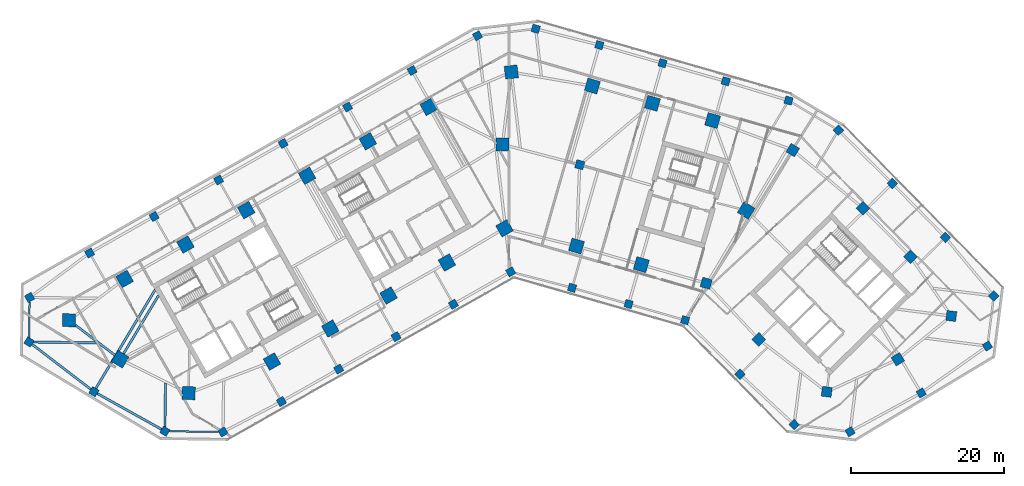
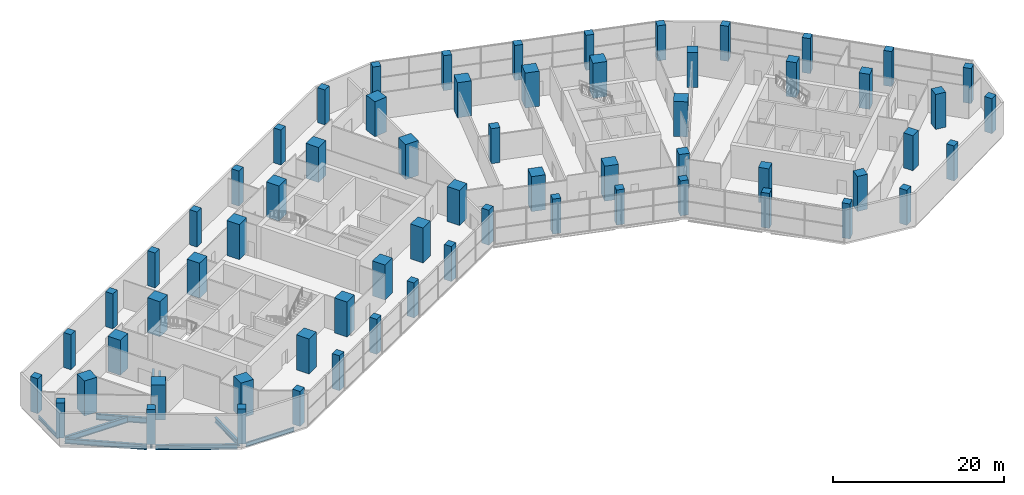
# One storey, part 1 of 18: 65 columns, 9 beams.
"""IFC4 building model written with IfcOpenShell, lengths in metres."""

from ifc_helpers import new_model, si_unit, direction, frame, origin, origin_2d, place, context, subcontext, project, spatial, rectangle, i_section, extrude, material, material_profile, profile_set, type_object, element, save


model = new_model("IFC4")

# Units and contexts
model_context = context("Model", 3, precision=1e-05, world=origin(), true_north=direction((0.0, 1.0)))
body_context = subcontext(model_context, "Body", "Model", "MODEL_VIEW")
ifc_project = project(units=[si_unit("LENGTHUNIT", "METRE"), si_unit("AREAUNIT", "SQUARE_METRE"), si_unit("VOLUMEUNIT", "CUBIC_METRE"), si_unit("PLANEANGLEUNIT", "RADIAN"), si_unit("MASSUNIT", "GRAM", prefix="KILO")], contexts=[model_context])

# Site, building, storey
site_placement = place(None, origin())
site = spatial("IfcSite", under=ifc_project, at=site_placement, CompositionType="ELEMENT")
building_placement = place(site_placement, origin())
building = spatial("IfcBuilding", under=site, at=building_placement, Name="Binnacle Exchange Tower", CompositionType="ELEMENT")
storey_placement = place(building_placement, frame((0.0, 0.0, 6.5)))
storey = spatial("IfcBuildingStorey", under=building, at=storey_placement, Name="L01", CompositionType="ELEMENT", Elevation=6.5)

# Columns
ifc_material_1 = material(Name="Concrete C60/75", Category="concrete")
ifc_material_profile_1 = material_profile(ifc_material_1, rectangle(XDim=1.10009765625, YDim=1.10009765625, at=origin_2d()), Name="Column 1100x1100 C60/75")
ifc_profile_set_1 = profile_set([ifc_material_profile_1], Name="Concrete C60/75")
column_type_1 = type_object("IfcColumnType", Name="Column 1100x1100 C60/75", PredefinedType="COLUMN", material=ifc_profile_set_1)
column_placement = place(storey_placement, frame((9.240966796875, 57.35009765625, 0.0), z_axis=(0.0, 0.0, 1.0), x_axis=(0.961261695938, -0.275637355817, 0.0)))
element("IfcColumn", 1, at=column_placement, inside=storey, type_object=column_type_1, Name="S:COL:C19:L01", PredefinedType="COLUMN", context=body_context, shape_type="SweptSolid", body=[
    extrude(rectangle(XDim=1.10009765625, YDim=1.10009765625, at=origin_2d()), origin(), (0.0, 0.0, 1.0), 5.0),
])
ifc_material_2 = material(Name="Concrete C70/85", Category="concrete")
ifc_material_profile_2 = material_profile(ifc_material_2, rectangle(XDim=1.300048828125, YDim=1.300048828125, at=origin_2d()), Name="Mega column 1300x1300 C70/85")
ifc_profile_set_2 = profile_set([ifc_material_profile_2], Name="Concrete C70/85")
column_type_2 = type_object("IfcColumnType", Name="Mega column 1300x1300 C70/85", PredefinedType="COLUMN", material=ifc_profile_set_2)
for number, where, z_axis, x_axis, name in (
    (2, (37.0849609375, 59.262451171875, 0.0), (0.0, 0.0, 1.0), (-0.859406411501, 0.511293086077, 0.0), "S:COL:MC57:L01"),
    (3, (25.766845703125, 41.85986328125, 0.0), (0.0, 0.0, 1.0), (0.961261695938, -0.275637355817, 0.0), "S:COL:MC56:L01"),
    (4, (32.64111328125, 34.530029296875, 0.0), (0.0, 0.0, 1.0), (0.7009092643, -0.713250449154, 0.0), "S:COL:MC59:L01"),
    (5, (41.519775390625, 27.6748046875, 0.0), (0.0, 0.0, 1.0), (0.99200494968, -0.126198969136, 0.0), "S:COL:MC61:L01"),
    (6, (50.81201171875, 31.930908203125, 0.0), (0.0, 0.0, 1.0), (0.857167300702, 0.51503807491, 0.0), "S:COL:MC63:L01"),
    (7, (57.799072265625, 37.5810546875, 0.0), (0.0, 0.0, 1.0), (0.126198969136, 0.99200494968, 0.0), "S:COL:MC62:L01"),
    (8, (52.466796875, 45.33935546875, 0.0), (0.0, 0.0, 1.0), (-0.7009092643, 0.713250449154, 0.0), "S:COL:MC60:L01"),
    (9, (46.248291015625, 51.667236328125, 0.0), (0.0, 0.0, 1.0), (-0.7009092643, 0.713250449154, 0.0), "S:COL:MC58:L01"),
):
    element("IfcColumn", number, at=place(storey_placement, frame(where, z_axis=z_axis, x_axis=x_axis)), inside=storey, type_object=column_type_2, Name=name, PredefinedType="COLUMN", context=body_context, shape_type="SweptSolid", body=[
        extrude(rectangle(XDim=1.300048828125, YDim=1.300048828125, at=origin_2d()), origin(), (0.0, 0.0, 1.0), 5.0),
    ])
ifc_material_profile_3 = material_profile(ifc_material_2, rectangle(XDim=1.699951171875, YDim=1.699951171875, at=origin_2d()), Name="Mega column 1700x1700 C70/85")
ifc_profile_set_3 = profile_set([ifc_material_profile_3], Name="Concrete C70/85")
column_type_3 = type_object("IfcColumnType", Name="Mega column 1700x1700 C70/85", PredefinedType="COLUMN", material=ifc_profile_set_3)
for number, where, z_axis, x_axis, name in (
    (10, (26.602783203125, 63.12353515625, 0.0), (0.0, 0.0, 1.0), (-0.961261695938, 0.275637355817, 0.0), "S:COL:MC52:L01"),
    (11, (18.746337890625, 65.376220703125, 0.0), (0.0, 0.0, 1.0), (-0.961261695938, 0.275637355817, 0.0), "S:COL:MC50:L01"),
    (12, (10.889892578125, 67.62890625, 0.0), (0.0, 0.0, 1.0), (-0.961261695938, 0.275637355817, 0.0), "S:COL:MC48:L01"),
    (13, (0.300048828125, 69.464111328125, 0.0), (0.0, 0.0, 1.0), (-0.993068456955, -0.117537397458, 0.0), "S:COL:MC47:L01"),
    (14, (-10.4951171875, 64.901611328125, 0.0), (0.0, 0.0, 1.0), (-0.87035569594, -0.492423560103, 0.0), "S:COL:MC38:L01"),
    (15, (-18.44140625, 60.406005859375, 0.0), (0.0, 0.0, 1.0), (-0.87035569594, -0.492423560103, 0.0), "S:COL:MC29:L01"),
    (16, (-26.3876953125, 55.91015625, 0.0), (0.0, 0.0, 1.0), (-0.87035569594, -0.492423560103, 0.0), "S:COL:MC21:L01"),
    (17, (-34.333740234375, 51.414306640625, 0.0), (0.0, 0.0, 1.0), (-0.87035569594, -0.492423560103, 0.0), "S:COL:MC13:L01"),
    (18, (-42.280029296875, 46.918701171875, 0.0), (0.0, 0.0, 1.0), (-0.87035569594, -0.492423560103, 0.0), "S:COL:MC08:L01"),
    (19, (-50.226318359375, 42.4228515625, 0.0), (0.0, 0.0, 1.0), (-0.87035569594, -0.492423560103, 0.0), "S:COL:MC04:L01"),
    (20, (-57.492919921875, 37.02734375, 0.0), (0.0, 0.0, 1.0), (-0.013089595571, -0.999914327574, 0.0), "S:COL:MC02:L01"),
    (21, (-50.81201171875, 31.930908203125, 0.0), (0.0, 0.0, 1.0), (0.857167300702, -0.51503807491, 0.0), "S:COL:MC01:L01"),
    (22, (-41.857666015625, 27.494873046875, 0.0), (0.0, 0.0, 1.0), (0.999914327574, -0.013089595571, 0.0), "S:COL:MC03:L01"),
    (23, (-30.9755859375, 31.63525390625, 0.0), (0.0, 0.0, 1.0), (0.87035569594, 0.492423560103, 0.0), "S:COL:MC07:L01"),
    (24, (-23.35595703125, 35.9462890625, 0.0), (0.0, 0.0, 1.0), (0.87035569594, 0.492423560103, 0.0), "S:COL:MC16:L01"),
    (25, (-15.736328125, 40.257080078125, 0.0), (0.0, 0.0, 1.0), (0.87035569594, 0.492423560103, 0.0), "S:COL:MC24:L01"),
    (26, (-8.116943359375, 44.568115234375, 0.0), (0.0, 0.0, 1.0), (0.87035569594, 0.492423560103, 0.0), "S:COL:MC35:L01"),
    (27, (-0.5908203125, 49.04443359375, 0.0), (0.0, 0.0, 1.0), (0.87035569594, 0.492423560103, 0.0), "S:COL:MC46:L01"),
    (28, (8.8095703125, 46.722412109375, 0.0), (0.0, 0.0, 1.0), (0.961261695938, -0.275637355817, 0.0), "S:COL:MC49:L01"),
    (29, (17.2880859375, 44.291015625, 0.0), (0.0, 0.0, 1.0), (0.961261695938, -0.275637355817, 0.0), "S:COL:MC51:L01"),
    (30, (30.989501953125, 51.38623046875, 0.0), (0.0, 0.0, 1.0), (0.529919264233, 0.848048096156, 0.0), "S:COL:MC55:L01"),
    (31, (-0.85009765625, 60.0, 0.0), (0.0, 0.0, 1.0), (0.0, 1.0, 0.0), "S:COL:MC45:L01"),
):
    element("IfcColumn", number, at=place(storey_placement, frame(where, z_axis=z_axis, x_axis=x_axis)), inside=storey, type_object=column_type_3, Name=name, PredefinedType="COLUMN", context=body_context, shape_type="SweptSolid", body=[
        extrude(rectangle(XDim=1.699951171875, YDim=1.699951171875, at=origin_2d()), origin(), (0.0, 0.0, 1.0), 5.0),
    ])
ifc_material_3 = material(Name="Concrete C50/60", Category="concrete")
ifc_material_profile_4 = material_profile(ifc_material_3, rectangle(XDim=1.0, YDim=1.0, at=origin_2d()), Name="Podium column 1000x1000 C50/60")
ifc_profile_set_4 = profile_set([ifc_material_profile_4], Name="Concrete C50/60")
column_type_4 = type_object("IfcColumnType", Name="Podium column 1000x1000 C50/60", PredefinedType="COLUMN", material=ifc_profile_set_4)
for number, where, z_axis, x_axis, name in (
    (32, (36.5283203125, 65.739013671875, 0.0), (0.0, 0.0, 1.0), (-0.961261695938, 0.275637355817, 0.0), "S:COL:C25:L01"),
    (33, (28.31591796875, 68.249755859375, 0.0), (0.0, 0.0, 1.0), (-0.961261695938, 0.275637355817, 0.0), "S:COL:C24:L01"),
    (34, (20.0625, 70.616455078125, 0.0), (0.0, 0.0, 1.0), (-0.961261695938, 0.275637355817, 0.0), "S:COL:C22:L01"),
    (35, (11.808837890625, 72.983154296875, 0.0), (0.0, 0.0, 1.0), (-0.961261695938, 0.275637355817, 0.0), "S:COL:C20:L01"),
    (36, (3.486083984375, 75.109619140625, 0.0), (0.0, 0.0, 1.0), (-0.961261695938, 0.275637355817, 0.0), "S:COL:C18:L01"),
    (37, (-4.115966796875, 74.209716796875, 0.0), (0.0, 0.0, 1.0), (-0.87035569594, -0.492423560103, 0.0), "S:COL:C16:L01"),
    (38, (-12.66748046875, 69.65869140625, 0.0), (0.0, 0.0, 1.0), (-0.87035569594, -0.492423560103, 0.0), "S:COL:C15:L01"),
    (39, (-21.095703125, 64.89013671875, 0.0), (0.0, 0.0, 1.0), (-0.87035569594, -0.492423560103, 0.0), "S:COL:C13:L01"),
    (40, (-29.524169921875, 60.12158203125, 0.0), (0.0, 0.0, 1.0), (-0.87035569594, -0.492423560103, 0.0), "S:COL:C11:L01"),
    (41, (-37.95263671875, 55.35302734375, 0.0), (0.0, 0.0, 1.0), (-0.87035569594, -0.492423560103, 0.0), "S:COL:C10:L01"),
    (42, (-46.381103515625, 50.58447265625, 0.0), (0.0, 0.0, 1.0), (-0.87035569594, -0.492423560103, 0.0), "S:COL:C08:L01"),
    (43, (-54.8095703125, 45.81591796875, 0.0), (0.0, 0.0, 1.0), (-0.87035569594, -0.492423560103, 0.0), "S:COL:C06:L01"),
    (44, (-62.64697265625, 40.0029296875, 0.0), (0.0, 0.0, 1.0), (-0.87035569594, -0.492423560103, 0.0), "S:COL:C05:L01"),
    (45, (-62.722900390625, 34.18798828125, 0.0), (0.0, 0.0, 1.0), (0.857167300702, -0.51503807491, 0.0), "S:COL:C03:L01"),
    (46, (-54.244873046875, 27.69384765625, 0.0), (0.0, 0.0, 1.0), (0.857167300702, -0.51503807491, 0.0), "S:COL:C02:L01"),
    (47, (-44.968505859375, 22.5283203125, 0.0), (0.0, 0.0, 1.0), (0.857167300702, -0.51503807491, 0.0), "S:COL:C01:L01"),
    (48, (-37.378173828125, 22.428955078125, 0.0), (0.0, 0.0, 1.0), (0.87035569594, 0.492423560103, 0.0), "S:COL:C04:L01"),
    (49, (-29.740478515625, 26.4052734375, 0.0), (0.0, 0.0, 1.0), (0.87035569594, 0.492423560103, 0.0), "S:COL:C07:L01"),
    (50, (-22.250732421875, 30.642822265625, 0.0), (0.0, 0.0, 1.0), (0.87035569594, 0.492423560103, 0.0), "S:COL:C09:L01"),
    (51, (-14.760986328125, 34.88037109375, 0.0), (0.0, 0.0, 1.0), (0.87035569594, 0.492423560103, 0.0), "S:COL:C12:L01"),
    (52, (-7.27099609375, 39.117919921875, 0.0), (0.0, 0.0, 1.0), (0.87035569594, 0.492423560103, 0.0), "S:COL:C14:L01"),
    (53, (0.21875, 43.35546875, 0.0), (0.0, 0.0, 1.0), (0.87035569594, 0.492423560103, 0.0), "S:COL:C17:L01"),
    (54, (8.242919921875, 41.26708984375, 0.0), (0.0, 0.0, 1.0), (0.961261695938, -0.275637355817, 0.0), "S:COL:C21:L01"),
    (55, (15.6279296875, 39.1494140625, 0.0), (0.0, 0.0, 1.0), (0.961261695938, -0.275637355817, 0.0), "S:COL:C23:L01"),
    (56, (23.01318359375, 37.031982421875, 0.0), (0.0, 0.0, 1.0), (0.961261695938, -0.275637355817, 0.0), "S:COL:C26:L01"),
    (57, (30.17236328125, 29.9658203125, 0.0), (0.0, 0.0, 1.0), (0.7009092643, -0.713250449154, 0.0), "S:COL:C29:L01"),
    (58, (37.26708984375, 23.38818359375, 0.0), (0.0, 0.0, 1.0), (0.7009092643, -0.713250449154, 0.0), "S:COL:C32:L01"),
    (59, (44.563720703125, 22.4599609375, 0.0), (0.0, 0.0, 1.0), (0.857167300702, 0.51503807491, 0.0), "S:COL:C35:L01"),
    (60, (53.86376953125, 27.52294921875, 0.0), (0.0, 0.0, 1.0), (0.857167300702, 0.51503807491, 0.0), "S:COL:C34:L01"),
    (61, (62.52001953125, 33.65771484375, 0.0), (0.0, 0.0, 1.0), (0.857167300702, 0.51503807491, 0.0), "S:COL:C33:L01"),
    (62, (63.35205078125, 40.197509765625, 0.0), (0.0, 0.0, 1.0), (-0.7009092643, 0.713250449154, 0.0), "S:COL:C31:L01"),
    (63, (57.02197265625, 47.8515625, 0.0), (0.0, 0.0, 1.0), (-0.7009092643, 0.713250449154, 0.0), "S:COL:C30:L01"),
    (64, (50.085693359375, 54.91015625, 0.0), (0.0, 0.0, 1.0), (-0.7009092643, 0.713250449154, 0.0), "S:COL:C28:L01"),
    (65, (43.04248046875, 61.86328125, 0.0), (0.0, 0.0, 1.0), (-0.7009092643, 0.713250449154, 0.0), "S:COL:C27:L01"),
):
    element("IfcColumn", number, at=place(storey_placement, frame(where, z_axis=z_axis, x_axis=x_axis)), inside=storey, type_object=column_type_4, Name=name, PredefinedType="COLUMN", context=body_context, shape_type="SweptSolid", body=[
        extrude(rectangle(XDim=1.0, YDim=1.0, at=origin_2d()), origin(), (0.0, 0.0, 1.0), 5.0),
    ])

# Beams
ifc_material_4 = material(Name="Steel S355 (SHN355)", Category="steel")
ifc_material_profile_5 = material_profile(ifc_material_4, i_section(OverallWidth=0.199951171875, OverallDepth=0.5, WebThickness=0.010009765625, FlangeThickness=0.01611328125, FilletRadius=0.02001953125, at=origin_2d()), Name="H 500x200x10x16")
ifc_profile_set_5 = profile_set([ifc_material_profile_5], Name="Steel S355 (SHN355)")
beam_type_1 = type_object("IfcBeamType", Name="Edge girder H 500x200x10x16 Steel S355 (SHN355)", PredefinedType="SPANDREL", material=ifc_profile_set_5)
beam_1_placement = place(storey_placement, frame((-62.71533203125, 34.7666015625, -0.60009765625), z_axis=(0.013051255038, 0.999914828744, 0.0), x_axis=(-0.999914828744, 0.013051255038, 0.0)))
element("IfcBeam", 66, at=beam_1_placement, inside=storey, type_object=beam_type_1, Name="S:BM:edge:L01:014", PredefinedType="SPANDREL", context=body_context, shape_type="SweptSolid", body=[
    extrude(i_section(OverallWidth=0.199951171875, OverallDepth=0.5, WebThickness=0.010009765625, FlangeThickness=0.01611328125, FilletRadius=0.02001953125, at=origin_2d()), origin(), (0.0, 0.0, 1.0), 4.657958984375),
])
ifc_material_profile_6 = material_profile(ifc_material_4, i_section(OverallWidth=0.200927734375, OverallDepth=0.60595703125, WebThickness=0.011962890625, FlangeThickness=0.02001953125, FilletRadius=0.02197265625, at=origin_2d()), Name="H 606x201x12x20")
ifc_profile_set_6 = profile_set([ifc_material_profile_6], Name="Steel S355 (SHN355)")
beam_type_2 = type_object("IfcBeamType", Name="Edge girder H 606x201x12x20 Steel S355 (SHN355)", PredefinedType="SPANDREL", material=ifc_profile_set_6)
beam_2_placement = place(storey_placement, frame((-37.95703125, 22.4365234375, -0.653076171875), z_axis=(-0.999914291463, 0.013092353811, 0.0), x_axis=(-0.013092353811, -0.999914291463, 0.0)))
element("IfcBeam", 67, at=beam_2_placement, inside=storey, type_object=beam_type_2, Name="S:BM:edge:L01:025", PredefinedType="SPANDREL", context=body_context, shape_type="SweptSolid", body=[
    extrude(i_section(OverallWidth=0.200927734375, OverallDepth=0.60595703125, WebThickness=0.011962890625, FlangeThickness=0.02001953125, FilletRadius=0.02197265625, at=origin_2d()), origin(), (0.0, 0.0, 1.0), 6.433349609375),
])
ifc_material_profile_7 = material_profile(ifc_material_4, i_section(OverallWidth=0.300048828125, OverallDepth=0.699951171875, WebThickness=0.012939453125, FlangeThickness=0.02392578125, FilletRadius=0.028076171875, at=origin_2d()), Name="H 700x300x13x24")
ifc_profile_set_7 = profile_set([ifc_material_profile_7], Name="Steel S355 (SHN355)")
beam_type_3 = type_object("IfcBeamType", Name="Edge girder H 700x300x13x24 Steel S355 (SHN355)", PredefinedType="SPANDREL", material=ifc_profile_set_7)
beam_3_placement = place(storey_placement, frame((-54.644287109375, 27.999755859375, -0.699951171875), z_axis=(-0.793871146685, 0.608086015676, 0.0), x_axis=(-0.608086015676, -0.793871146685, 0.0)))
element("IfcBeam", 68, at=beam_3_placement, inside=storey, type_object=beam_type_3, Name="S:BM:edge:L01:017", PredefinedType="SPANDREL", context=body_context, shape_type="SweptSolid", body=[
    extrude(i_section(OverallWidth=0.300048828125, OverallDepth=0.699951171875, WebThickness=0.012939453125, FlangeThickness=0.02392578125, FilletRadius=0.028076171875, at=origin_2d()), origin(), (0.0, 0.0, 1.0), 9.673095703125),
])
beam_4_placement = place(storey_placement, frame((-45.40576171875, 22.771728515625, -0.699951171875), z_axis=(-0.873676660619, 0.486507032518, 0.0), x_axis=(-0.486507032518, -0.873676660619, 0.0)))
element("IfcBeam", 69, at=beam_4_placement, inside=storey, type_object=beam_type_3, Name="S:BM:edge:L01:022", PredefinedType="SPANDREL", context=body_context, shape_type="SweptSolid", body=[
    extrude(i_section(OverallWidth=0.300048828125, OverallDepth=0.699951171875, WebThickness=0.012939453125, FlangeThickness=0.02392578125, FilletRadius=0.028076171875, at=origin_2d()), origin(), (0.0, 0.0, 1.0), 9.616943359375),
])
ifc_material_profile_8 = material_profile(ifc_material_4, i_section(OverallWidth=0.302001953125, OverallDepth=0.80810546875, WebThickness=0.01611328125, FlangeThickness=0.030029296875, FilletRadius=0.028076171875, at=origin_2d()), Name="H 808x302x16x30")
ifc_profile_set_8 = profile_set([ifc_material_profile_8], Name="Steel S355 (SHN355)")
beam_type_4 = type_object("IfcBeamType", Name="Edge girder H 808x302x16x30 Steel S355 (SHN355)", PredefinedType="SPANDREL", material=ifc_profile_set_8)
beam_5_placement = place(storey_placement, frame((-56.6513671875, 36.38525390625, -0.75390625), z_axis=(0.795093040263, -0.606487474994, 0.0), x_axis=(0.606487474994, 0.795093040263, 0.0)))
element("IfcBeam", 70, at=beam_5_placement, inside=storey, type_object=beam_type_4, Name="S:BM:edge:L01:016", PredefinedType="SPANDREL", context=body_context, shape_type="SweptSolid", body=[
    extrude(i_section(OverallWidth=0.302001953125, OverallDepth=0.80810546875, WebThickness=0.01611328125, FlangeThickness=0.030029296875, FilletRadius=0.028076171875, at=origin_2d()), origin(), (0.0, 0.0, 1.0), 6.489013671875),
])
ifc_material_profile_9 = material_profile(ifc_material_4, i_section(OverallWidth=0.300048828125, OverallDepth=0.699951171875, WebThickness=0.012939453125, FlangeThickness=0.02392578125, FilletRadius=0.028076171875, at=origin_2d()), Name="H 700x300x13x24")
ifc_profile_set_9 = profile_set([ifc_material_profile_9], Name="Steel S355 (SHN355)")
beam_type_5 = type_object("IfcBeamType", Name="Floor beam H 700x300x13x24 Steel S355 (SHN355)", PredefinedType="BEAM", material=ifc_profile_set_9)
beam_6_placement = place(storey_placement, frame((-44.9609375, 23.107177734375, -0.699951171875), z_axis=(0.013063826795, 0.999914664574, 0.0), x_axis=(-0.999914664574, 0.013063826795, 0.0)))
element("IfcBeam", 71, at=beam_6_placement, inside=storey, type_object=beam_type_5, Name="S:BM:cross:L01:082", PredefinedType="BEAM", context=body_context, shape_type="SweptSolid", body=[
    extrude(i_section(OverallWidth=0.300048828125, OverallDepth=0.699951171875, WebThickness=0.012939453125, FlangeThickness=0.02392578125, FilletRadius=0.028076171875, at=origin_2d()), origin(), (0.0, 0.0, 1.0), 5.7373046875),
])
ifc_material_profile_10 = material_profile(ifc_material_4, i_section(OverallWidth=0.302001953125, OverallDepth=0.80810546875, WebThickness=0.01611328125, FlangeThickness=0.030029296875, FilletRadius=0.028076171875, at=origin_2d()), Name="H 808x302x16x30")
ifc_profile_set_10 = profile_set([ifc_material_profile_10], Name="Steel S355 (SHN355)")
beam_type_6 = type_object("IfcBeamType", Name="Floor beam H 808x302x16x30 Steel S355 (SHN355)", PredefinedType="BEAM", material=ifc_profile_set_10)
beam_7_placement = place(storey_placement, frame((-62.144287109375, 34.180419921875, -0.75390625), z_axis=(0.999914070306, -0.013109233529, 0.0), x_axis=(0.013109233529, 0.999914070306, 0.0)))
element("IfcBeam", 72, at=beam_7_placement, inside=storey, type_object=beam_type_6, Name="S:BM:cross:L01:076", PredefinedType="BEAM", context=body_context, shape_type="SweptSolid", body=[
    extrude(i_section(OverallWidth=0.302001953125, OverallDepth=0.80810546875, WebThickness=0.01611328125, FlangeThickness=0.030029296875, FilletRadius=0.028076171875, at=origin_2d()), origin(), (0.0, 0.0, 1.0), 8.380615234375),
])
beam_8_placement = place(storey_placement, frame((-50.374267578125, 32.659423828125, -0.75390625), z_axis=(0.515042389499, 0.857164708221, 0.0), x_axis=(-0.857164708221, 0.515042389499, 0.0)))
element("IfcBeam", 73, at=beam_8_placement, inside=storey, type_object=beam_type_6, Name="S:BM:cross:L01:080", PredefinedType="BEAM", context=body_context, shape_type="SweptSolid", body=[
    extrude(i_section(OverallWidth=0.302001953125, OverallDepth=0.80810546875, WebThickness=0.01611328125, FlangeThickness=0.030029296875, FilletRadius=0.028076171875, at=origin_2d()), origin(), (0.0, 0.0, 1.0), 8.865234375),
])
ifc_material_profile_11 = material_profile(ifc_material_4, i_section(OverallWidth=0.302978515625, OverallDepth=0.91796875, WebThickness=0.01904296875, FlangeThickness=0.037109375, FilletRadius=0.028076171875, at=origin_2d()), Name="H 918x303x19x37")
ifc_profile_set_11 = profile_set([ifc_material_profile_11], Name="Steel S355 (SHN355)")
beam_type_7 = type_object("IfcBeamType", Name="Floor beam H 918x303x19x37 Steel S355 (SHN355)", PredefinedType="BEAM", material=ifc_profile_set_11)
beam_9_placement = place(storey_placement, frame((-53.9873046875, 28.122314453125, -0.80908203125), z_axis=(0.515027805522, 0.857173471089, 0.0), x_axis=(-0.857173471089, 0.515027805522, 0.0)))
element("IfcBeam", 74, at=beam_9_placement, inside=storey, type_object=beam_type_7, Name="S:BM:cross:L01:079", PredefinedType="BEAM", context=body_context, shape_type="SweptSolid", body=[
    extrude(i_section(OverallWidth=0.302978515625, OverallDepth=0.91796875, WebThickness=0.01904296875, FlangeThickness=0.037109375, FilletRadius=0.028076171875, at=origin_2d()), origin(), (0.0, 0.0, 1.0), 15.04541015625),
])

save(model, "model.ifc")
